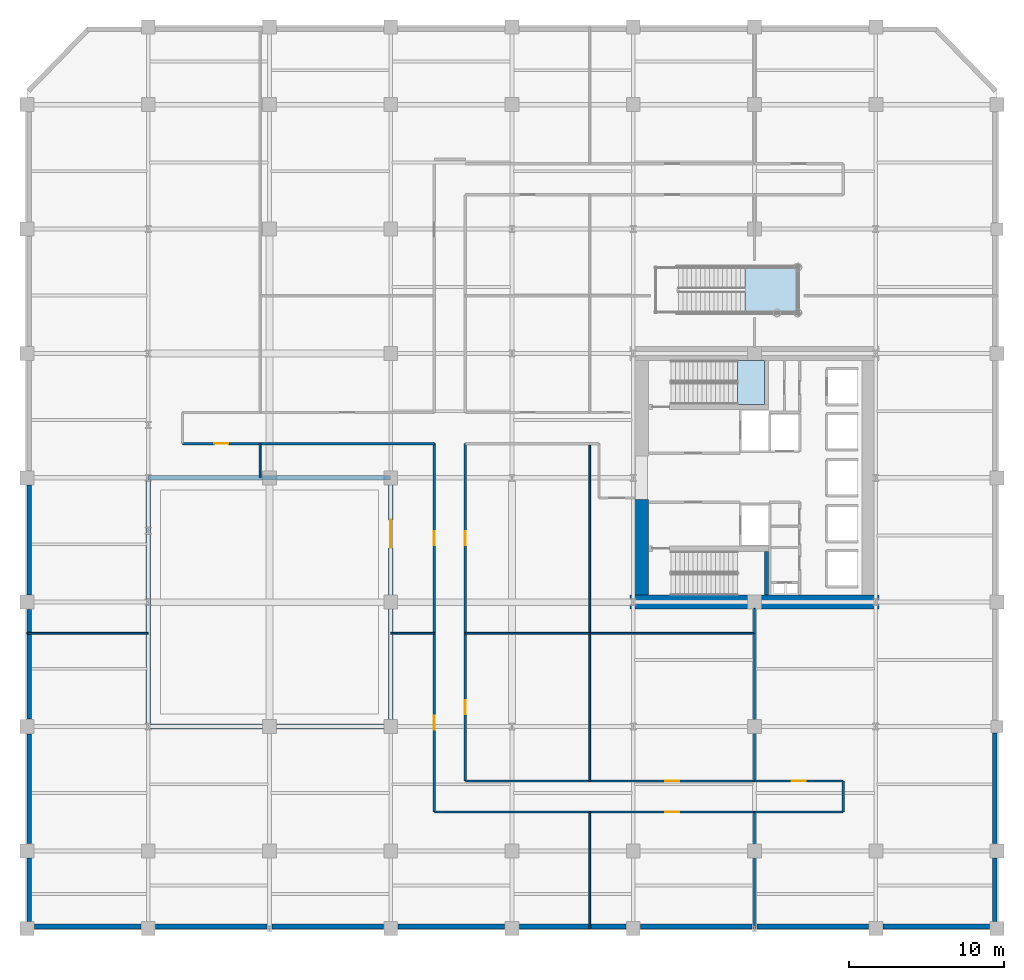
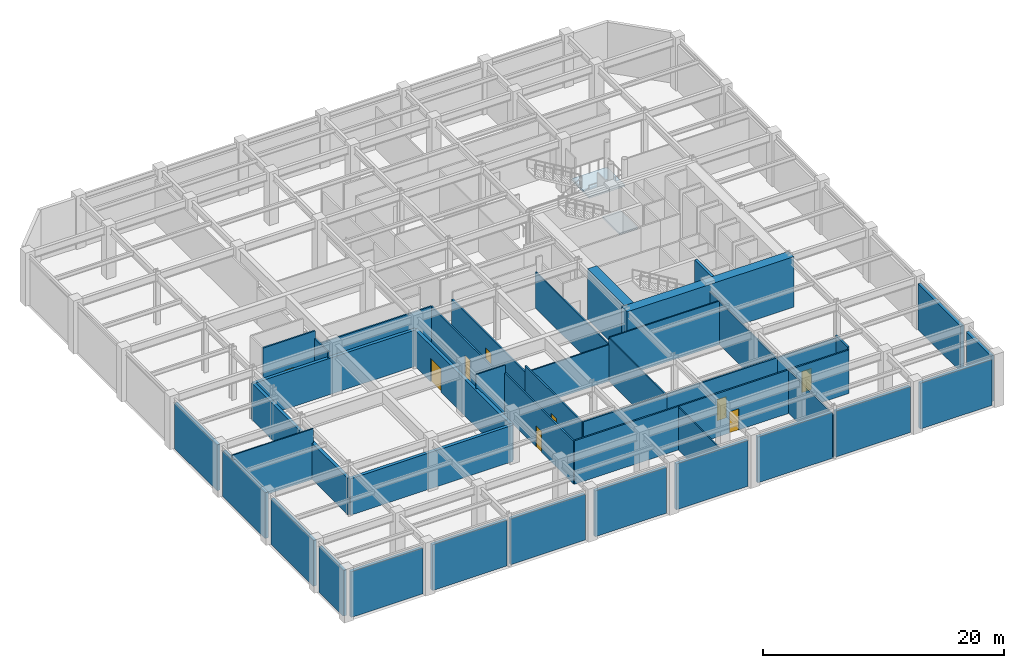
# One storey, part 7 of 11: 45 walls, 9 doors, 2 slabs, 9 openings, 2 elements without a shape of their own.
"""IFC4 building model written with IfcOpenShell, lengths in metres."""

import ifcopenshell
import ifcopenshell.guid

model = None  # the IFC model being written
_history = None  # IfcOwnerHistory: only IFC2X3 demands one
_inside = {}  # id of a spatial element -> (the spatial element, [elements in it])
_under = {}  # id of a project, library or spatial element -> (it, [spatial elements below it])
_declared = {}  # id of a project -> (the project, [libraries it declares])
_typed = {}  # id of a type object -> (the type object, [elements of that type])
_made_of = {}  # id of a material, layer set ... -> (it, [elements and type objects made of it])


def new_model(schema):
    """Start an empty IFC model of exactly this schema.

    Asked for "IFC4X3", IfcOpenShell would pick the latest addendum, in which some entities
    have other attributes; the version numbers below select the first issue.
    IFC2X3 requires an IfcOwnerHistory on every rooted entity: one is made here for all.
    """
    global model, _history
    if schema == "IFC4X3":
        model = ifcopenshell.file(schema_version=(4, 3, 0, 0))
    else:
        model = ifcopenshell.file(schema=schema)
    _inside.clear()
    _under.clear()
    _declared.clear()
    _typed.clear()
    _made_of.clear()
    _history = None
    if model.schema == "IFC2X3":
        org = make("IfcOrganization", Name="unknown")
        user = make(
            "IfcPersonAndOrganization",
            ThePerson=make("IfcPerson", FamilyName="unknown"),
            TheOrganization=org,
        )
        app = make(
            "IfcApplication",
            ApplicationDeveloper=org,
            Version="unknown",
            ApplicationFullName="unknown",
            ApplicationIdentifier="unknown",
        )
        _history = make(
            "IfcOwnerHistory",
            OwningUser=user,
            OwningApplication=app,
            ChangeAction="ADDED",
            CreationDate=0,
        )
    return model


def make(cls, **values):
    """One entity of the class cls with the attributes given. An attribute that is None is left unset."""
    return model.create_entity(
        cls, **{name: value for name, value in values.items() if value is not None}
    )


def rooted(cls, **values):
    """An entity with a GlobalId (a new one), such as an element, a storey or a relation."""
    return make(cls, GlobalId=ifcopenshell.guid.new(), OwnerHistory=_history, **values)


def si_unit(unit_type, name, prefix=None):
    """IfcSIUnit, for example si_unit("LENGTHUNIT", "METRE", prefix="MILLI")."""
    return make("IfcSIUnit", UnitType=unit_type, Prefix=prefix, Name=name)


def assignment(units):
    """IfcUnitAssignment: the units of a project."""
    return None if units is None else make("IfcUnitAssignment", Units=units)


def point(xyz):
    """IfcCartesianPoint."""
    return None if xyz is None else make("IfcCartesianPoint", Coordinates=xyz)


def direction(xyz):
    """IfcDirection."""
    return None if xyz is None else make("IfcDirection", DirectionRatios=xyz)


def frame(location, z_axis=None, x_axis=None):
    """IfcAxis2Placement3D, a coordinate frame: its origin and axes. An axis left out is left unset."""
    return make(
        "IfcAxis2Placement3D",
        Location=point(location),
        Axis=direction(z_axis),
        RefDirection=direction(x_axis),
    )


def frame_2d(location, x_axis=None):
    """IfcAxis2Placement2D, a coordinate frame in the plane: its origin and x axis."""
    return make(
        "IfcAxis2Placement2D", Location=point(location), RefDirection=direction(x_axis)
    )


def origin():
    """The frame at (0, 0, 0) with its axes left unset."""
    return frame((0.0, 0.0, 0.0))


def place(relative_to, where):
    """IfcLocalPlacement: puts the frame where relative to a parent placement (None: the world)."""
    return make(
        "IfcLocalPlacement", PlacementRelTo=relative_to, RelativePlacement=where
    )


def context(
    kind, dimensions, precision=None, world=None, true_north=None, identifier=None
):
    """IfcGeometricRepresentationContext, for example the 3D "Model" context."""
    return make(
        "IfcGeometricRepresentationContext",
        ContextIdentifier=identifier,
        ContextType=kind,
        CoordinateSpaceDimension=dimensions,
        Precision=precision,
        WorldCoordinateSystem=world,
        TrueNorth=true_north,
    )


def subcontext(parent, identifier, kind, view, scale=None):
    """IfcGeometricRepresentationSubContext, for example "Body" below "Model"."""
    return make(
        "IfcGeometricRepresentationSubContext",
        ContextIdentifier=identifier,
        ContextType=kind,
        ParentContext=parent,
        TargetScale=scale,
        TargetView=view,
    )


def project(units=None, contexts=None):
    """IfcProject with its units and contexts."""
    return rooted(
        "IfcProject",
        Name="project",
        RepresentationContexts=contexts,
        UnitsInContext=assignment(units),
    )


def spatial(cls, under=None, at=None, **own):
    """A site, building, storey or space (cls), placed at a placement, below another one or the project."""
    s = rooted(cls, ObjectPlacement=at, **own)
    if under is not None:
        _under.setdefault(under.id(), (under, []))[1].append(s)
    return s


def polyline(points):
    """IfcPolyline through the points."""
    return make("IfcPolyline", Points=[point(p) for p in points])


def profile(cls, at=None, kind="AREA", **sizes):
    """A parametric profile (cls). Its sizes go by their IFC names, for example OverallWidth=200.0."""
    return make(cls, ProfileType=kind, Position=at, **sizes)


def rectangle(**sizes):
    """IfcRectangleProfileDef."""
    return profile("IfcRectangleProfileDef", **sizes)


def outline(outer, holes=None, kind="AREA"):
    """IfcArbitraryClosedProfileDef: a profile drawn as a closed curve; with holes, ...WithVoids."""
    if holes is None:
        return make("IfcArbitraryClosedProfileDef", ProfileType=kind, OuterCurve=outer)
    return make(
        "IfcArbitraryProfileDefWithVoids",
        ProfileType=kind,
        OuterCurve=outer,
        InnerCurves=holes,
    )


def extrude(swept, where, along, depth):
    """IfcExtrudedAreaSolid: the profile swept, set in the frame where, extruded along a direction by depth."""
    return make(
        "IfcExtrudedAreaSolid",
        SweptArea=swept,
        Position=where,
        ExtrudedDirection=direction(along),
        Depth=depth,
    )


def shape(context_of_items, identifier, shape_type, items):
    """IfcShapeRepresentation: the items that make up one representation, for example the "Body"."""
    return make(
        "IfcShapeRepresentation",
        ContextOfItems=context_of_items,
        RepresentationIdentifier=identifier,
        RepresentationType=shape_type,
        Items=items,
    )


def material(Name=None, Category=None):
    """IfcMaterial."""
    return make("IfcMaterial", Name=Name, Category=Category)


def layer(
    of_material, thickness, ventilated=None, Name=None, Category=None, Priority=None
):
    """IfcMaterialLayer: one layer of a wall or slab, of a material (None: an air gap)."""
    return make(
        "IfcMaterialLayer",
        Material=of_material,
        LayerThickness=thickness,
        IsVentilated=ventilated,
        Name=Name,
        Category=Category,
        Priority=Priority,
    )


def layer_set(layers, Name=None):
    """IfcMaterialLayerSet."""
    return make("IfcMaterialLayerSet", MaterialLayers=layers, LayerSetName=Name)


def made_of(thing, what):
    """Note that an element or type object is made of a material, layer set ...; save() writes the relation."""
    if what is not None:
        _made_of.setdefault(what.id(), (what, []))[1].append(thing)
    return thing


def type_object(cls, material=None, **own):
    """A type object (cls), such as IfcWallType, which elements share."""
    return made_of(rooted(cls, **own), material)


def element(
    cls,
    number,
    at=None,
    inside=None,
    cuts=None,
    type_object=None,
    material=None,
    context=None,
    identifier="Body",
    shape_type=None,
    held_by="IfcProductDefinitionShape",
    body=None,
    shapes=None,
    **own,
):
    """One element of the class cls, such as IfcWall. Its Tag is "e" and its number.

    at: its placement. inside: the storey or other place that contains it. cuts: it is an
    opening in that element (IfcRelVoidsElement). A single representation is given by context,
    identifier, shape_type and body (its items); several are given by shapes. held_by: the class
    of the entity that holds the representations. save() writes the other relations.
    """
    e = rooted(cls, Tag="e%d" % number, ObjectPlacement=at, **own)
    if body is not None:
        shapes = [shape(context, identifier, shape_type, body)]
    if shapes is not None:
        e.Representation = make(held_by, Representations=shapes)
    if inside is not None:
        _inside.setdefault(inside.id(), (inside, []))[1].append(e)
    if cuts is not None:
        rooted(
            "IfcRelVoidsElement", RelatingBuildingElement=cuts, RelatedOpeningElement=e
        )
    if type_object is not None:
        _typed.setdefault(type_object.id(), (type_object, []))[1].append(e)
    return made_of(e, material)


def fill(opening, filler):
    """IfcRelFillsElement: the door or window that sits in an opening."""
    return rooted(
        "IfcRelFillsElement",
        RelatingOpeningElement=opening,
        RelatedBuildingElement=filler,
    )


def aggregate(whole, parts):
    """IfcRelAggregates: a whole, such as a stair, and the parts it consists of."""
    return rooted("IfcRelAggregates", RelatingObject=whole, RelatedObjects=parts)


def save(model, path):
    """Write the relations noted so far, then the file.

    IfcRelAggregates (storeys below a building ...), IfcRelContainedInSpatialStructure (elements
    in a storey), IfcRelDefinesByType, IfcRelAssociatesMaterial and IfcRelDeclares: one each for
    every whole, place, type object, material and project.
    """
    for whole, parts in _under.values():
        aggregate(whole, parts)
    for where, things in _inside.values():
        rooted(
            "IfcRelContainedInSpatialStructure",
            RelatedElements=things,
            RelatingStructure=where,
        )
    for kind, things in _typed.values():
        rooted("IfcRelDefinesByType", RelatedObjects=things, RelatingType=kind)
    for what, things in _made_of.values():
        rooted("IfcRelAssociatesMaterial", RelatedObjects=things, RelatingMaterial=what)
    for by, libraries in _declared.values():
        rooted("IfcRelDeclares", RelatingContext=by, RelatedDefinitions=libraries)
    model.write(path)


model = new_model("IFC4")

# Units and contexts
model_context = context("Model", 3, precision=1e-05, world=origin(), true_north=direction((0.0, 1.0)))
body_context = subcontext(model_context, "Body", "Model", "MODEL_VIEW")
ifc_project = project(units=[si_unit("LENGTHUNIT", "METRE"), si_unit("AREAUNIT", "SQUARE_METRE"), si_unit("VOLUMEUNIT", "CUBIC_METRE"), si_unit("PLANEANGLEUNIT", "RADIAN"), si_unit("MASSUNIT", "GRAM", prefix="KILO")], contexts=[model_context])

# Site, building, storey
site_placement = place(None, origin())
site = spatial("IfcSite", under=ifc_project, at=site_placement, CompositionType="ELEMENT")
building_placement = place(site_placement, origin())
building = spatial("IfcBuilding", under=site, at=building_placement, Name="Veymaron Broadcast Tower", CompositionType="ELEMENT")
storey_placement = place(building_placement, frame((0.0, 0.0, 16.199951171875)))
storey = spatial("IfcBuildingStorey", under=building, at=storey_placement, Name="L03", CompositionType="ELEMENT", Elevation=16.199951171875)

# Stair, slab
ifc_material_1 = material(Name="Concrete C50/60", Category="concrete")
stair_type_1 = type_object("IfcStairType", Name="STAIR-CORE-1", PredefinedType="HALF_TURN_STAIR", material=ifc_material_1)
stair_1_placement = place(storey_placement, origin())
stair_1 = element("IfcStair", 1, at=stair_1_placement, inside=storey, type_object=stair_type_1, Name="L03 North protected dog-leg exit stair ST1", PredefinedType="HALF_TURN_STAIR")
ifc_layer_1 = layer(ifc_material_1, 0.199951171875)
ifc_layer_set_1 = layer_set([ifc_layer_1], Name="Concrete C50/60")
slab_type = type_object("IfcSlabType", Name="SLAB-STAIR-LDG", PredefinedType="LANDING", material=ifc_layer_set_1)
slab_1_placement = place(storey_placement, frame((0.0, 0.0, 2.5)))
slab_1 = element("IfcSlab", 2, at=slab_1_placement, type_object=slab_type, Name="ST1 landing 1", PredefinedType="LANDING", context=body_context, shape_type="SweptSolid", body=[
    extrude(outline(polyline([(45.705078125, 28.72998046875), (47.43994140625, 28.72998046875), (47.43994140625, 31.550048828125), (45.705078125, 31.550048828125), (45.705078125, 28.72998046875)])), origin(), (0.0, 0.0, 1.0), 0.199951171875),
])
aggregate(stair_1, [slab_1])

ifc_material_2 = material(Name="Structural steel ASTM A992 Gr 50", Category="steel")
stair_type_2 = type_object("IfcStairType", Name="STAIR-FEAT-01", PredefinedType="HALF_TURN_STAIR", material=ifc_material_2)
stair_2_placement = place(storey_placement, origin())
stair_2 = element("IfcStair", 3, at=stair_2_placement, inside=storey, type_object=stair_type_2, Name="L03 Waterfront concourse monumental feature stair STF1", PredefinedType="HALF_TURN_STAIR")
slab_2_placement = place(storey_placement, frame((0.0, 0.0, 2.5)))
slab_2 = element("IfcSlab", 4, at=slab_2_placement, type_object=slab_type, Name="STF1 landing 1", PredefinedType="LANDING", context=body_context, shape_type="SweptSolid", body=[
    extrude(outline(polyline([(46.175048828125, 34.60009765625), (49.60009765625, 34.60009765625), (49.60009765625, 37.56005859375), (46.175048828125, 37.56005859375), (46.175048828125, 34.60009765625)])), origin(), (0.0, 0.0, 1.0), 0.199951171875),
])
aggregate(stair_2, [slab_2])

# Wall, opening, door
ifc_material_3 = material(Name="Double-stud acoustic gypsum and mineral wool", Category="gypsum")
ifc_layer_2 = layer(ifc_material_3, 0.300048828125)
ifc_layer_set_2 = layer_set([ifc_layer_2], Name="Double-stud acoustic gypsum and mineral wool")
wall_type_1 = type_object("IfcWallType", Name="WALL-ACOUSTIC-300", PredefinedType="PARTITIONING", material=ifc_layer_set_2)
wall_1_placement = place(storey_placement, frame((23.39990234375, 8.0, 0.0), z_axis=(0.0, 0.0, 1.0), x_axis=(0.0, 1.0, 0.0)))
wall_1 = element("IfcWall", 5, at=wall_1_placement, inside=storey, type_object=wall_type_1, Name="L03 partition IW-L03-STU3-E", PredefinedType="PARTITIONING", context=body_context, shape_type="SweptSolid", body=[
    extrude(rectangle(XDim=16.0, YDim=0.300048828125, at=frame_2d((8.0, 0.0))), origin(), (0.0, 0.0, 1.0), 3.68798828125),
])
opening_1_placement = place(wall_1_placement, frame((11.5, 0.0, 0.0)))
opening_1 = element("IfcOpeningElement", 6, at=opening_1_placement, cuts=wall_1, Name="Opening ID-AC1", PredefinedType="OPENING", context=body_context, shape_type="SweptSolid", body=[
    extrude(rectangle(XDim=1.800048828125, YDim=2.39990234375, at=frame_2d((0.89990234375, 1.199951171875))), frame((0.0, 0.16015625, 0.0), z_axis=(0.0, -1.0, 0.0), x_axis=(1.0, 0.0, 0.0)), (0.0, 0.0, 1.0), 0.320068359375),
])
ifc_material_4 = material(Name="STC-55 acoustic steel double leaf with magnetic seals", Category="steel")
door_type_1 = type_object("IfcDoorType", Name="DOOR-ACOUSTIC-1800", OperationType="DOUBLE_DOOR_SINGLE_SWING", PredefinedType="DOOR", material=ifc_material_4)
door_1_placement = place(opening_1_placement, origin())
door_1 = element("IfcDoor", 7, at=door_1_placement, inside=storey, type_object=door_type_1, Name="L03 door DR-L03-STU3", OperationType="SINGLE_SWING_LEFT", OverallHeight=2.39990234375, OverallWidth=1.800048828125, PredefinedType="DOOR", context=body_context, shape_type="SweptSolid", body=[
    extrude(rectangle(XDim=1.800048828125, YDim=2.39990234375, at=frame_2d((0.89990234375, 1.199951171875))), frame((0.0, 0.02490234375, 0.0), z_axis=(0.0, -1.0, 0.0), x_axis=(1.0, 0.0, 0.0)), (0.0, 0.0, 1.0), 0.050048828125),
])
fill(opening_1, door_1)

# Walls
for number, where, z_axis, x_axis, name in (
    (8, (7.800048828125, 24.0, 0.0), (0.0, 0.0, 1.0), (1.0, 0.0, 0.0), "L03 partition IW-L03-STU3-N"),
    (9, (7.800048828125, 8.0, 0.0), (0.0, 0.0, 1.0), (1.0, 0.0, 0.0), "L03 partition IW-L03-STU3-S"),
):
    element("IfcWall", number, at=place(storey_placement, frame(where, z_axis=z_axis, x_axis=x_axis)), inside=storey, type_object=wall_type_1, Name=name, PredefinedType="PARTITIONING", context=body_context, shape_type="SweptSolid", body=[
        extrude(rectangle(XDim=15.599853515625, YDim=0.300048828125, at=frame_2d((7.7998046875, 0.0))), origin(), (0.0, 0.0, 1.0), 3.68798828125),
    ])
wall_2_placement = place(storey_placement, frame((7.800048828125, 8.0, 0.0), z_axis=(0.0, 0.0, 1.0), x_axis=(0.0, 1.0, 0.0)))
element("IfcWall", 10, at=wall_2_placement, inside=storey, type_object=wall_type_1, Name="L03 partition IW-L03-STU3-W", PredefinedType="PARTITIONING", context=body_context, shape_type="SweptSolid", body=[
    extrude(rectangle(XDim=16.0, YDim=0.300048828125, at=frame_2d((8.0, 0.0))), origin(), (0.0, 0.0, 1.0), 3.68798828125),
])
ifc_material_5 = material(Name="Precast concrete C40/50 with mineral-wool insulation", Category="concrete")
ifc_layer_3 = layer(ifc_material_5, 0.300048828125)
ifc_layer_set_3 = layer_set([ifc_layer_3], Name="Precast concrete C40/50 with mineral-wool insulation")
wall_type_2 = type_object("IfcWallType", Name="WALL-EXT-300", PredefinedType="STANDARD", material=ifc_layer_set_3)
wall_3_placement = place(storey_placement, frame((0.468017578125, -4.860107421875, 0.0), z_axis=(0.0, 0.0, 1.0), x_axis=(1.0, 0.0, 0.0)))
element("IfcWall", 11, at=wall_3_placement, inside=storey, type_object=wall_type_2, Name="L03 notched corner facade pier 1-1", PredefinedType="STANDARD", context=body_context, shape_type="SweptSolid", body=[
    extrude(rectangle(XDim=6.864013671875, YDim=0.300048828125, at=frame_2d((3.43212890625, 0.0))), origin(), (0.0, 0.0, 1.0), 4.64794921875),
])
for number, where, z_axis, x_axis, name in (
    (12, (8.26806640625, -4.860107421875, 0.0), (0.0, 0.0, 1.0), (1.0, 0.0, 0.0), "L03 notched corner facade pier 1-2"),
    (13, (15.7724609375, -4.860107421875, 0.0), (0.0, 0.0, 1.0), (1.0, 0.0, 0.0), "L03 notched corner facade pier 1-3"),
):
    element("IfcWall", number, at=place(storey_placement, frame(where, z_axis=z_axis, x_axis=x_axis)), inside=storey, type_object=wall_type_2, Name=name, PredefinedType="STANDARD", context=body_context, shape_type="SweptSolid", body=[
        extrude(rectangle(XDim=7.159423828125, YDim=0.300048828125, at=frame_2d((3.57958984375, 0.0))), origin(), (0.0, 0.0, 1.0), 4.64794921875),
    ])
for number, where, z_axis, x_axis, name in (
    (14, (23.867919921875, -4.860107421875, 0.0), (0.0, 0.0, 1.0), (1.0, 0.0, 0.0), "L03 notched corner facade pier 1-4"),
    (15, (31.66796875, -4.860107421875, 0.0), (0.0, 0.0, 1.0), (1.0, 0.0, 0.0), "L03 notched corner facade pier 1-5"),
):
    element("IfcWall", number, at=place(storey_placement, frame(where, z_axis=z_axis, x_axis=x_axis)), inside=storey, type_object=wall_type_2, Name=name, PredefinedType="STANDARD", context=body_context, shape_type="SweptSolid", body=[
        extrude(rectangle(XDim=6.864013671875, YDim=0.300048828125, at=frame_2d((3.43212890625, 0.0))), origin(), (0.0, 0.0, 1.0), 4.64794921875),
    ])
wall_4_placement = place(storey_placement, frame((39.468017578125, -4.860107421875, 0.0), z_axis=(0.0, 0.0, 1.0), x_axis=(1.0, 0.0, 0.0)))
element("IfcWall", 16, at=wall_4_placement, inside=storey, type_object=wall_type_2, Name="L03 notched corner facade pier 1-6", PredefinedType="STANDARD", context=body_context, shape_type="SweptSolid", body=[
    extrude(rectangle(XDim=7.159423828125, YDim=0.300048828125, at=frame_2d((3.57958984375, 0.0))), origin(), (0.0, 0.0, 1.0), 4.64794921875),
])
wall_5_placement = place(storey_placement, frame((46.972412109375, -4.860107421875, 0.0), z_axis=(0.0, 0.0, 1.0), x_axis=(1.0, 0.0, 0.0)))
element("IfcWall", 17, at=wall_5_placement, inside=storey, type_object=wall_type_2, Name="L03 notched corner facade pier 1-7", PredefinedType="STANDARD", context=body_context, shape_type="SweptSolid", body=[
    extrude(rectangle(XDim=7.15966796875, YDim=0.300048828125, at=frame_2d((3.579833984375, 0.0))), origin(), (0.0, 0.0, 1.0), 4.64794921875),
])
wall_6_placement = place(storey_placement, frame((55.068115234375, -4.860107421875, 0.0), z_axis=(0.0, 0.0, 1.0), x_axis=(1.0, 0.0, 0.0)))
element("IfcWall", 18, at=wall_6_placement, inside=storey, type_object=wall_type_2, Name="L03 notched corner facade pier 1-8", PredefinedType="STANDARD", context=body_context, shape_type="SweptSolid", body=[
    extrude(rectangle(XDim=6.86376953125, YDim=0.300048828125, at=frame_2d((3.431884765625, 0.0))), origin(), (0.0, 0.0, 1.0), 4.64794921875),
])
wall_7_placement = place(storey_placement, frame((62.260009765625, -4.531982421875, 0.0), z_axis=(0.0, 0.0, 1.0), x_axis=(0.0, 1.0, 0.0)))
element("IfcWall", 19, at=wall_7_placement, inside=storey, type_object=wall_type_2, Name="L03 notched corner facade pier 2-1", PredefinedType="STANDARD", context=body_context, shape_type="SweptSolid", body=[
    extrude(rectangle(XDim=4.06396484375, YDim=0.300048828125, at=frame_2d((2.031982421875, 0.0))), origin(), (0.0, 0.0, 1.0), 4.64794921875),
])
wall_8_placement = place(storey_placement, frame((62.260009765625, 0.468017578125, 0.0), z_axis=(0.0, 0.0, 1.0), x_axis=(0.0, 1.0, 0.0)))
element("IfcWall", 20, at=wall_8_placement, inside=storey, type_object=wall_type_2, Name="L03 notched corner facade pier 2-2", PredefinedType="STANDARD", context=body_context, shape_type="SweptSolid", body=[
    extrude(rectangle(XDim=7.114013671875, YDim=0.300048828125, at=frame_2d((3.55712890625, 0.0))), origin(), (0.0, 0.0, 1.0), 4.64794921875),
])
for number, where, z_axis, x_axis, name in (
    (21, (0.139892578125, 23.531982421875, 0.0), (0.0, 0.0, 1.0), (0.0, -1.0, 0.0), "L03 notched corner facade pier 6-4"),
    (22, (0.139892578125, 15.531982421875, 0.0), (0.0, 0.0, 1.0), (0.0, -1.0, 0.0), "L03 notched corner facade pier 6-5"),
    (23, (0.139892578125, 7.531982421875, 0.0), (0.0, 0.0, 1.0), (0.0, -1.0, 0.0), "L03 notched corner facade pier 6-6"),
):
    element("IfcWall", number, at=place(storey_placement, frame(where, z_axis=z_axis, x_axis=x_axis)), inside=storey, type_object=wall_type_2, Name=name, PredefinedType="STANDARD", context=body_context, shape_type="SweptSolid", body=[
        extrude(rectangle(XDim=7.06396484375, YDim=0.300048828125, at=frame_2d((3.531982421875, 0.0))), origin(), (0.0, 0.0, 1.0), 4.64794921875),
    ])
wall_9_placement = place(storey_placement, frame((0.139892578125, -0.468017578125, 0.0), z_axis=(0.0, 0.0, 1.0), x_axis=(0.0, -1.0, 0.0)))
element("IfcWall", 24, at=wall_9_placement, inside=storey, type_object=wall_type_2, Name="L03 notched corner facade pier 6-7", PredefinedType="STANDARD", context=body_context, shape_type="SweptSolid", body=[
    extrude(rectangle(XDim=4.06396484375, YDim=0.300048828125, at=frame_2d((2.031982421875, 0.0))), origin(), (0.0, 0.0, 1.0), 4.64794921875),
])

# Wall, opening, door
ifc_material_6 = material(Name="Gypsum fireboard and steel stud framing", Category="steel")
ifc_layer_4 = layer(ifc_material_6, 0.14990234375)
ifc_layer_set_4 = layer_set([ifc_layer_4], Name="Gypsum fireboard and steel stud framing")
wall_type_3 = type_object("IfcWallType", Name="WALL-FIRE-150", PredefinedType="PARTITIONING", material=ifc_layer_set_4)
wall_10_placement = place(storey_placement, frame((36.199951171875, 2.5, 0.0), z_axis=(0.0, 0.0, 1.0), x_axis=(1.0, 0.0, 0.0)))
wall_10 = element("IfcWall", 25, at=wall_10_placement, inside=storey, type_object=wall_type_3, Name="L03 partition IW-L03-P01", PredefinedType="PARTITIONING", context=body_context, shape_type="SweptSolid", body=[
    extrude(rectangle(XDim=10.60009765625, YDim=0.14990234375, at=frame_2d((5.300048828125, 0.0))), origin(), (0.0, 0.0, 1.0), 4.4150390625),
])
opening_2_placement = place(wall_10_placement, frame((4.85009765625, 0.0, 0.0)))
opening_2 = element("IfcOpeningElement", 26, at=opening_2_placement, cuts=wall_10, Name="Opening ID-RM2", PredefinedType="OPENING", context=body_context, shape_type="SweptSolid", body=[
    extrude(rectangle(XDim=0.89990234375, YDim=2.14990234375, at=frame_2d((0.449951171875, 1.074951171875))), frame((0.0, 0.0849609375, 0.0), z_axis=(0.0, -1.0, 0.0), x_axis=(1.0, 0.0, 0.0)), (0.0, 0.0, 1.0), 0.169921875),
])
ifc_material_7 = material(Name="Acoustic solid-core European oak veneer timber", Category="wood")
door_type_2 = type_object("IfcDoorType", Name="DOOR-INT-900", OperationType="NOTDEFINED", PredefinedType="DOOR", material=ifc_material_7)
door_2_placement = place(opening_2_placement, frame((0.89990234375, 0.0, 0.0), z_axis=(0.0, 0.0, 1.0), x_axis=(-1.0, 0.0, 0.0)))
door_2 = element("IfcDoor", 27, at=door_2_placement, inside=storey, type_object=door_type_2, Name="L03 door DR-L03-P01", OperationType="SINGLE_SWING_RIGHT", OverallHeight=2.14990234375, OverallWidth=0.89990234375, PredefinedType="DOOR", context=body_context, shape_type="SweptSolid", body=[
    extrude(rectangle(XDim=0.89990234375, YDim=2.14990234375, at=frame_2d((0.449951171875, 1.074951171875))), frame((0.0, 0.02490234375, 0.0), z_axis=(0.0, -1.0, 0.0), x_axis=(1.0, 0.0, 0.0)), (0.0, 0.0, 1.0), 0.050048828125),
])
fill(opening_2, door_2)

wall_11_placement = place(storey_placement, frame((26.199951171875, 2.5, 0.0), z_axis=(0.0, 0.0, 1.0), x_axis=(0.0, 1.0, 0.0)))
wall_11 = element("IfcWall", 28, at=wall_11_placement, inside=storey, type_object=wall_type_3, Name="L03 partition IW-L03-P02", PredefinedType="PARTITIONING", context=body_context, shape_type="SweptSolid", body=[
    extrude(rectangle(XDim=11.5, YDim=0.14990234375, at=frame_2d((5.75, 0.0))), origin(), (0.0, 0.0, 1.0), 4.338134765625),
])
opening_3_placement = place(wall_11_placement, frame((5.300048828125, 0.0, 0.0)))
opening_3 = element("IfcOpeningElement", 29, at=opening_3_placement, cuts=wall_11, Name="Opening ID-RM2", PredefinedType="OPENING", context=body_context, shape_type="SweptSolid", body=[
    extrude(rectangle(XDim=0.89990234375, YDim=2.14990234375, at=frame_2d((0.449951171875, 1.074951171875))), frame((0.0, 0.0849609375, 0.0), z_axis=(0.0, -1.0, 0.0), x_axis=(1.0, 0.0, 0.0)), (0.0, 0.0, 1.0), 0.169921875),
])
door_3_placement = place(opening_3_placement, origin())
door_3 = element("IfcDoor", 30, at=door_3_placement, inside=storey, type_object=door_type_2, Name="L03 door DR-L03-P02", OperationType="SINGLE_SWING_LEFT", OverallHeight=2.14990234375, OverallWidth=0.89990234375, PredefinedType="DOOR", context=body_context, shape_type="SweptSolid", body=[
    extrude(rectangle(XDim=0.89990234375, YDim=2.14990234375, at=frame_2d((0.449951171875, 1.074951171875))), frame((0.0, 0.02490234375, 0.0), z_axis=(0.0, -1.0, 0.0), x_axis=(1.0, 0.0, 0.0)), (0.0, 0.0, 1.0), 0.050048828125),
])
fill(opening_3, door_3)

wall_12_placement = place(storey_placement, frame((28.199951171875, 4.5, 0.0), z_axis=(0.0, 0.0, 1.0), x_axis=(0.0, 1.0, 0.0)))
wall_12 = element("IfcWall", 31, at=wall_12_placement, inside=storey, type_object=wall_type_3, Name="L03 partition IW-L03-P04", PredefinedType="PARTITIONING", context=body_context, shape_type="SweptSolid", body=[
    extrude(rectangle(XDim=9.5, YDim=0.14990234375, at=frame_2d((4.75, 0.0))), origin(), (0.0, 0.0, 1.0), 4.338134765625),
])
opening_4_placement = place(wall_12_placement, frame((4.300048828125, 0.0, 0.0)))
opening_4 = element("IfcOpeningElement", 32, at=opening_4_placement, cuts=wall_12, Name="Opening ID-RM2", PredefinedType="OPENING", context=body_context, shape_type="SweptSolid", body=[
    extrude(rectangle(XDim=0.89990234375, YDim=2.14990234375, at=frame_2d((0.449951171875, 1.074951171875))), frame((0.0, 0.0849609375, 0.0), z_axis=(0.0, -1.0, 0.0), x_axis=(1.0, 0.0, 0.0)), (0.0, 0.0, 1.0), 0.169921875),
])
door_4_placement = place(opening_4_placement, frame((0.89990234375, 0.0, 0.0), z_axis=(0.0, 0.0, 1.0), x_axis=(-1.0, 0.0, 0.0)))
door_4 = element("IfcDoor", 33, at=door_4_placement, inside=storey, type_object=door_type_2, Name="L03 door DR-L03-P04", OperationType="SINGLE_SWING_LEFT", OverallHeight=2.14990234375, OverallWidth=0.89990234375, PredefinedType="DOOR", context=body_context, shape_type="SweptSolid", body=[
    extrude(rectangle(XDim=0.89990234375, YDim=2.14990234375, at=frame_2d((0.449951171875, 1.074951171875))), frame((0.0, 0.02490234375, 0.0), z_axis=(0.0, -1.0, 0.0), x_axis=(1.0, 0.0, 0.0)), (0.0, 0.0, 1.0), 0.050048828125),
])
fill(opening_4, door_4)

wall_13_placement = place(storey_placement, frame((36.199951171875, 4.5, 0.0), z_axis=(0.0, 0.0, 1.0), x_axis=(1.0, 0.0, 0.0)))
wall_13 = element("IfcWall", 34, at=wall_13_placement, inside=storey, type_object=wall_type_3, Name="L03 partition IW-L03-P06", PredefinedType="PARTITIONING", context=body_context, shape_type="SweptSolid", body=[
    extrude(rectangle(XDim=10.60009765625, YDim=0.14990234375, at=frame_2d((5.300048828125, 0.0))), origin(), (0.0, 0.0, 1.0), 4.4150390625),
])
opening_5_placement = place(wall_13_placement, frame((4.85009765625, 0.0, 0.0)))
opening_5 = element("IfcOpeningElement", 35, at=opening_5_placement, cuts=wall_13, Name="Opening ID-RM2", PredefinedType="OPENING", context=body_context, shape_type="SweptSolid", body=[
    extrude(rectangle(XDim=0.89990234375, YDim=2.14990234375, at=frame_2d((0.449951171875, 1.074951171875))), frame((0.0, 0.0849609375, 0.0), z_axis=(0.0, -1.0, 0.0), x_axis=(1.0, 0.0, 0.0)), (0.0, 0.0, 1.0), 0.169921875),
])
door_5_placement = place(opening_5_placement, origin())
door_5 = element("IfcDoor", 36, at=door_5_placement, inside=storey, type_object=door_type_2, Name="L03 door DR-L03-P06", OperationType="SINGLE_SWING_LEFT", OverallHeight=2.14990234375, OverallWidth=0.89990234375, PredefinedType="DOOR", context=body_context, shape_type="SweptSolid", body=[
    extrude(rectangle(XDim=0.89990234375, YDim=2.14990234375, at=frame_2d((0.449951171875, 1.074951171875))), frame((0.0, 0.02490234375, 0.0), z_axis=(0.0, -1.0, 0.0), x_axis=(1.0, 0.0, 0.0)), (0.0, 0.0, 1.0), 0.050048828125),
])
fill(opening_5, door_5)

wall_14_placement = place(storey_placement, frame((46.800048828125, 4.5, 0.0), z_axis=(0.0, 0.0, 1.0), x_axis=(1.0, 0.0, 0.0)))
wall_14 = element("IfcWall", 37, at=wall_14_placement, inside=storey, type_object=wall_type_3, Name="L03 partition IW-L03-P07", PredefinedType="PARTITIONING", context=body_context, shape_type="SweptSolid", body=[
    extrude(rectangle(XDim=5.699951171875, YDim=0.14990234375, at=frame_2d((2.85009765625, 0.0))), origin(), (0.0, 0.0, 1.0), 4.4150390625),
])
opening_6_placement = place(wall_14_placement, frame((2.39990234375, 0.0, 0.0)))
opening_6 = element("IfcOpeningElement", 38, at=opening_6_placement, cuts=wall_14, Name="Opening ID-RM2", PredefinedType="OPENING", context=body_context, shape_type="SweptSolid", body=[
    extrude(rectangle(XDim=0.89990234375, YDim=2.14990234375, at=frame_2d((0.449951171875, 1.074951171875))), frame((0.0, 0.0849609375, 0.0), z_axis=(0.0, -1.0, 0.0), x_axis=(1.0, 0.0, 0.0)), (0.0, 0.0, 1.0), 0.169921875),
])
door_6_placement = place(opening_6_placement, origin())
door_6 = element("IfcDoor", 39, at=door_6_placement, inside=storey, type_object=door_type_2, Name="L03 door DR-L03-P07", OperationType="SINGLE_SWING_RIGHT", OverallHeight=2.14990234375, OverallWidth=0.89990234375, PredefinedType="DOOR", context=body_context, shape_type="SweptSolid", body=[
    extrude(rectangle(XDim=0.89990234375, YDim=2.14990234375, at=frame_2d((0.449951171875, 1.074951171875))), frame((0.0, 0.02490234375, 0.0), z_axis=(0.0, -1.0, 0.0), x_axis=(1.0, 0.0, 0.0)), (0.0, 0.0, 1.0), 0.050048828125),
])
fill(opening_6, door_6)

wall_15_placement = place(storey_placement, frame((28.199951171875, 14.0, 0.0), z_axis=(0.0, 0.0, 1.0), x_axis=(0.0, 1.0, 0.0)))
wall_15 = element("IfcWall", 40, at=wall_15_placement, inside=storey, type_object=wall_type_3, Name="L03 partition IW-L03-P13", PredefinedType="PARTITIONING", context=body_context, shape_type="SweptSolid", body=[
    extrude(rectangle(XDim=12.199951171875, YDim=0.14990234375, at=frame_2d((6.10009765625, 0.0))), origin(), (0.0, 0.0, 1.0), 3.68798828125),
])
opening_7_placement = place(wall_15_placement, frame((5.64990234375, 0.0, 0.0)))
opening_7 = element("IfcOpeningElement", 41, at=opening_7_placement, cuts=wall_15, Name="Opening ID-RM2", PredefinedType="OPENING", context=body_context, shape_type="SweptSolid", body=[
    extrude(rectangle(XDim=0.89990234375, YDim=2.14990234375, at=frame_2d((0.449951171875, 1.074951171875))), frame((0.0, 0.0849609375, 0.0), z_axis=(0.0, -1.0, 0.0), x_axis=(1.0, 0.0, 0.0)), (0.0, 0.0, 1.0), 0.169921875),
])
door_7_placement = place(opening_7_placement, frame((0.89990234375, 0.0, 0.0), z_axis=(0.0, 0.0, 1.0), x_axis=(-1.0, 0.0, 0.0)))
door_7 = element("IfcDoor", 42, at=door_7_placement, inside=storey, type_object=door_type_2, Name="L03 door DR-L03-P13", OperationType="SINGLE_SWING_RIGHT", OverallHeight=2.14990234375, OverallWidth=0.89990234375, PredefinedType="DOOR", context=body_context, shape_type="SweptSolid", body=[
    extrude(rectangle(XDim=0.89990234375, YDim=2.14990234375, at=frame_2d((0.449951171875, 1.074951171875))), frame((0.0, 0.02490234375, 0.0), z_axis=(0.0, -1.0, 0.0), x_axis=(1.0, 0.0, 0.0)), (0.0, 0.0, 1.0), 0.050048828125),
])
fill(opening_7, door_7)

wall_16_placement = place(storey_placement, frame((26.199951171875, 14.0, 0.0), z_axis=(0.0, 0.0, 1.0), x_axis=(0.0, 1.0, 0.0)))
wall_16 = element("IfcWall", 43, at=wall_16_placement, inside=storey, type_object=wall_type_3, Name="L03 partition IW-L03-P15", PredefinedType="PARTITIONING", context=body_context, shape_type="SweptSolid", body=[
    extrude(rectangle(XDim=12.199951171875, YDim=0.14990234375, at=frame_2d((6.10009765625, 0.0))), origin(), (0.0, 0.0, 1.0), 3.68798828125),
])
opening_8_placement = place(wall_16_placement, frame((5.64990234375, 0.0, 0.0)))
opening_8 = element("IfcOpeningElement", 44, at=opening_8_placement, cuts=wall_16, Name="Opening ID-RM2", PredefinedType="OPENING", context=body_context, shape_type="SweptSolid", body=[
    extrude(rectangle(XDim=0.89990234375, YDim=2.14990234375, at=frame_2d((0.449951171875, 1.074951171875))), frame((0.0, 0.0849609375, 0.0), z_axis=(0.0, -1.0, 0.0), x_axis=(1.0, 0.0, 0.0)), (0.0, 0.0, 1.0), 0.169921875),
])
door_8_placement = place(opening_8_placement, origin())
door_8 = element("IfcDoor", 45, at=door_8_placement, inside=storey, type_object=door_type_2, Name="L03 door DR-L03-P15", OperationType="SINGLE_SWING_RIGHT", OverallHeight=2.14990234375, OverallWidth=0.89990234375, PredefinedType="DOOR", context=body_context, shape_type="SweptSolid", body=[
    extrude(rectangle(XDim=0.89990234375, YDim=2.14990234375, at=frame_2d((0.449951171875, 1.074951171875))), frame((0.0, 0.02490234375, 0.0), z_axis=(0.0, -1.0, 0.0), x_axis=(1.0, 0.0, 0.0)), (0.0, 0.0, 1.0), 0.050048828125),
])
fill(opening_8, door_8)

wall_17_placement = place(storey_placement, frame((10.0, 26.199951171875, 0.0), z_axis=(0.0, 0.0, 1.0), x_axis=(1.0, 0.0, 0.0)))
wall_17 = element("IfcWall", 46, at=wall_17_placement, inside=storey, type_object=wall_type_3, Name="L03 partition IW-L03-P22", PredefinedType="PARTITIONING", context=body_context, shape_type="SweptSolid", body=[
    extrude(rectangle(XDim=5.0, YDim=0.14990234375, at=frame_2d((2.5, 0.0))), origin(), (0.0, 0.0, 1.0), 5.1201171875),
])
opening_9_placement = place(wall_17_placement, frame((2.050048828125, 0.0, 0.0)))
opening_9 = element("IfcOpeningElement", 47, at=opening_9_placement, cuts=wall_17, Name="Opening ID-RM2", PredefinedType="OPENING", context=body_context, shape_type="SweptSolid", body=[
    extrude(rectangle(XDim=0.89990234375, YDim=2.14990234375, at=frame_2d((0.449951171875, 1.074951171875))), frame((0.0, 0.0849609375, 0.0), z_axis=(0.0, -1.0, 0.0), x_axis=(1.0, 0.0, 0.0)), (0.0, 0.0, 1.0), 0.169921875),
])
door_9_placement = place(opening_9_placement, frame((0.89990234375, 0.0, 0.0), z_axis=(0.0, 0.0, 1.0), x_axis=(-1.0, 0.0, 0.0)))
door_9 = element("IfcDoor", 48, at=door_9_placement, inside=storey, type_object=door_type_2, Name="L03 door DR-L03-P22", OperationType="SINGLE_SWING_LEFT", OverallHeight=2.14990234375, OverallWidth=0.89990234375, PredefinedType="DOOR", context=body_context, shape_type="SweptSolid", body=[
    extrude(rectangle(XDim=0.89990234375, YDim=2.14990234375, at=frame_2d((0.449951171875, 1.074951171875))), frame((0.0, 0.02490234375, 0.0), z_axis=(0.0, -1.0, 0.0), x_axis=(1.0, 0.0, 0.0)), (0.0, 0.0, 1.0), 0.050048828125),
])
fill(opening_9, door_9)

# Walls
wall_18_placement = place(storey_placement, frame((26.199951171875, 2.5, 0.0), z_axis=(0.0, 0.0, 1.0), x_axis=(1.0, 0.0, 0.0)))
element("IfcWall", 49, at=wall_18_placement, inside=storey, type_object=wall_type_3, Name="L03 partition IW-L03-P03", PredefinedType="PARTITIONING", context=body_context, shape_type="SweptSolid", body=[
    extrude(rectangle(XDim=10.0, YDim=0.14990234375, at=frame_2d((5.0, 0.0))), origin(), (0.0, 0.0, 1.0), 4.4150390625),
])
wall_19_placement = place(storey_placement, frame((28.199951171875, 4.5, 0.0), z_axis=(0.0, 0.0, 1.0), x_axis=(1.0, 0.0, 0.0)))
element("IfcWall", 50, at=wall_19_placement, inside=storey, type_object=wall_type_3, Name="L03 partition IW-L03-P05", PredefinedType="PARTITIONING", context=body_context, shape_type="SweptSolid", body=[
    extrude(rectangle(XDim=8.0, YDim=0.14990234375, at=frame_2d((4.0, 0.0))), origin(), (0.0, 0.0, 1.0), 4.4150390625),
])
wall_20_placement = place(storey_placement, frame((46.800048828125, 2.5, 0.0), z_axis=(0.0, 0.0, 1.0), x_axis=(1.0, 0.0, 0.0)))
element("IfcWall", 51, at=wall_20_placement, inside=storey, type_object=wall_type_3, Name="L03 partition IW-L03-P08", PredefinedType="PARTITIONING", context=body_context, shape_type="SweptSolid", body=[
    extrude(rectangle(XDim=5.699951171875, YDim=0.14990234375, at=frame_2d((2.85009765625, 0.0))), origin(), (0.0, 0.0, 1.0), 4.4150390625),
])
wall_21_placement = place(storey_placement, frame((52.5, 2.5, 0.0), z_axis=(0.0, 0.0, 1.0), x_axis=(0.0, 1.0, 0.0)))
element("IfcWall", 52, at=wall_21_placement, inside=storey, type_object=wall_type_3, Name="L03 partition IW-L03-P09", PredefinedType="PARTITIONING", context=body_context, shape_type="SweptSolid", body=[
    extrude(rectangle(XDim=2.0, YDim=0.14990234375, at=frame_2d((1.0, 0.0))), origin(), (0.0, 0.0, 1.0), 4.700927734375),
])
wall_22_placement = place(storey_placement, frame((15.0, 26.199951171875, 0.0), z_axis=(0.0, 0.0, 1.0), x_axis=(1.0, 0.0, 0.0)))
element("IfcWall", 53, at=wall_22_placement, inside=storey, type_object=wall_type_3, Name="L03 partition IW-L03-P16", PredefinedType="PARTITIONING", context=body_context, shape_type="SweptSolid", body=[
    extrude(rectangle(XDim=11.199951171875, YDim=0.14990234375, at=frame_2d((5.60009765625, 0.0))), origin(), (0.0, 0.0, 1.0), 3.68798828125),
])
ifc_material_8 = material(Name="Acoustic gypsum board and galvanized stud", Category="gypsum")
ifc_layer_5 = layer(ifc_material_8, 0.1201171875)
ifc_layer_set_5 = layer_set([ifc_layer_5], Name="Acoustic gypsum board and galvanized stud")
wall_type_4 = type_object("IfcWallType", Name="WALL-PART-120", PredefinedType="PARTITIONING", material=ifc_layer_set_5)
for number, where, z_axis, x_axis, name in (
    (54, (36.199951171875, -5.0, 0.0), (0.0, 0.0, 1.0), (0.0, 1.0, 0.0), "L03 partition IW-L03-P35"),
    (55, (46.800048828125, -5.0, 0.0), (0.0, 0.0, 1.0), (0.0, 1.0, 0.0), "L03 partition IW-L03-P36"),
):
    element("IfcWall", number, at=place(storey_placement, frame(where, z_axis=z_axis, x_axis=x_axis)), inside=storey, type_object=wall_type_4, Name=name, PredefinedType="PARTITIONING", context=body_context, shape_type="SweptSolid", body=[
        extrude(rectangle(XDim=7.5, YDim=0.1201171875, at=frame_2d((3.75, 0.0))), origin(), (0.0, 0.0, 1.0), 4.338134765625),
    ])
wall_23_placement = place(storey_placement, frame((23.39990234375, 14.0, 0.0), z_axis=(0.0, 0.0, 1.0), x_axis=(1.0, 0.0, 0.0)))
element("IfcWall", 56, at=wall_23_placement, inside=storey, type_object=wall_type_4, Name="L03 partition IW-L03-P37", PredefinedType="PARTITIONING", context=body_context, shape_type="SweptSolid", body=[
    extrude(rectangle(XDim=2.800048828125, YDim=0.1201171875, at=frame_2d((1.39990234375, 0.0))), origin(), (0.0, 0.0, 1.0), 5.1201171875),
])
wall_24_placement = place(storey_placement, frame((0.0, 14.0, 0.0), z_axis=(0.0, 0.0, 1.0), x_axis=(1.0, 0.0, 0.0)))
element("IfcWall", 57, at=wall_24_placement, inside=storey, type_object=wall_type_4, Name="L03 partition IW-L03-P38", PredefinedType="PARTITIONING", context=body_context, shape_type="SweptSolid", body=[
    extrude(rectangle(XDim=7.800048828125, YDim=0.1201171875, at=frame_2d((3.89990234375, 0.0))), origin(), (0.0, 0.0, 1.0), 5.1201171875),
])
wall_25_placement = place(storey_placement, frame((36.199951171875, 4.5, 0.0), z_axis=(0.0, 0.0, 1.0), x_axis=(0.0, 1.0, 0.0)))
element("IfcWall", 58, at=wall_25_placement, inside=storey, type_object=wall_type_4, Name="L03 partition IW-L03-P39", PredefinedType="PARTITIONING", context=body_context, shape_type="SweptSolid", body=[
    extrude(rectangle(XDim=9.5, YDim=0.1201171875, at=frame_2d((4.75, 0.0))), origin(), (0.0, 0.0, 1.0), 4.338134765625),
])
wall_26_placement = place(storey_placement, frame((28.199951171875, 14.0, 0.0), z_axis=(0.0, 0.0, 1.0), x_axis=(1.0, 0.0, 0.0)))
element("IfcWall", 59, at=wall_26_placement, inside=storey, type_object=wall_type_4, Name="L03 partition IW-L03-P40", PredefinedType="PARTITIONING", context=body_context, shape_type="SweptSolid", body=[
    extrude(rectangle(XDim=8.0, YDim=0.1201171875, at=frame_2d((4.0, 0.0))), origin(), (0.0, 0.0, 1.0), 3.68798828125),
])
wall_27_placement = place(storey_placement, frame((46.800048828125, 4.5, 0.0), z_axis=(0.0, 0.0, 1.0), x_axis=(0.0, 1.0, 0.0)))
element("IfcWall", 60, at=wall_27_placement, inside=storey, type_object=wall_type_4, Name="L03 partition IW-L03-P41", PredefinedType="PARTITIONING", context=body_context, shape_type="SweptSolid", body=[
    extrude(rectangle(XDim=9.5, YDim=0.1201171875, at=frame_2d((4.75, 0.0))), origin(), (0.0, 0.0, 1.0), 4.338134765625),
])
wall_28_placement = place(storey_placement, frame((36.199951171875, 14.0, 0.0), z_axis=(0.0, 0.0, 1.0), x_axis=(1.0, 0.0, 0.0)))
element("IfcWall", 61, at=wall_28_placement, inside=storey, type_object=wall_type_4, Name="L03 partition IW-L03-P42", PredefinedType="PARTITIONING", context=body_context, shape_type="SweptSolid", body=[
    extrude(rectangle(XDim=10.60009765625, YDim=0.1201171875, at=frame_2d((5.300048828125, 0.0))), origin(), (0.0, 0.0, 1.0), 4.4150390625),
])
wall_29_placement = place(storey_placement, frame((46.800048828125, 14.0, 0.0), z_axis=(0.0, 0.0, 1.0), x_axis=(0.0, 1.0, 0.0)))
element("IfcWall", 62, at=wall_29_placement, inside=storey, type_object=wall_type_4, Name="L03 partition IW-L03-P43", PredefinedType="PARTITIONING", context=body_context, shape_type="SweptSolid", body=[
    extrude(rectangle(XDim=1.60009765625, YDim=0.1201171875, at=frame_2d((0.800048828125, 0.0))), origin(), (0.0, 0.0, 1.0), 4.4150390625),
])
wall_30_placement = place(storey_placement, frame((36.199951171875, 14.0, 0.0), z_axis=(0.0, 0.0, 1.0), x_axis=(0.0, 1.0, 0.0)))
element("IfcWall", 63, at=wall_30_placement, inside=storey, type_object=wall_type_4, Name="L03 partition IW-L03-P46", PredefinedType="PARTITIONING", context=body_context, shape_type="SweptSolid", body=[
    extrude(rectangle(XDim=12.199951171875, YDim=0.1201171875, at=frame_2d((6.10009765625, 0.0))), origin(), (0.0, 0.0, 1.0), 3.68798828125),
])
wall_31_placement = place(storey_placement, frame((15.0, 24.0, 0.0), z_axis=(0.0, 0.0, 1.0), x_axis=(0.0, 1.0, 0.0)))
element("IfcWall", 64, at=wall_31_placement, inside=storey, type_object=wall_type_4, Name="L03 partition IW-L03-P47", PredefinedType="PARTITIONING", context=body_context, shape_type="SweptSolid", body=[
    extrude(rectangle(XDim=2.199951171875, YDim=0.1201171875, at=frame_2d((1.10009765625, 0.0))), origin(), (0.0, 0.0, 1.0), 4.338134765625),
])
ifc_layer_6 = layer(ifc_material_1, 0.25)
ifc_layer_set_6 = layer_set([ifc_layer_6], Name="Concrete C50/60")
wall_type_5 = type_object("IfcWallType", Name="WALL-SHEAR-250", PredefinedType="SHEAR", material=ifc_layer_set_6)
wall_32_placement = place(storey_placement, frame((47.56494140625, 16.449951171875, 0.0), z_axis=(0.0, 0.0, 1.0), x_axis=(0.0, 1.0, 0.0)))
element("IfcWall", 65, at=wall_32_placement, inside=storey, type_object=wall_type_5, Name="L03 Core Wall south stair east shear", PredefinedType="SHEAR", context=body_context, shape_type="SweptSolid", body=[
    extrude(rectangle(XDim=2.820068359375, YDim=0.25, at=frame_2d((1.41015625, 0.0))), origin(), (0.0, 0.0, 1.0), 5.1201171875),
])
ifc_material_9 = material(Name="Concrete C70/85", Category="concrete")
ifc_layer_7 = layer(ifc_material_9, 0.89990234375)
ifc_layer_set_7 = layer_set([ifc_layer_7], Name="Concrete C70/85")
wall_type_6 = type_object("IfcWallType", Name="WALL-SHEAR-900", PredefinedType="SHEAR", material=ifc_layer_set_7)
wall_33_placement = place(storey_placement, frame((38.800048828125, 16.0, 0.0), z_axis=(0.0, 0.0, 1.0), x_axis=(1.0, 0.0, 0.0)))
element("IfcWall", 66, at=wall_33_placement, inside=storey, type_object=wall_type_6, Name="L03 Core Wall south shear", PredefinedType="SHEAR", context=body_context, shape_type="SweptSolid", body=[
    extrude(rectangle(XDim=16.0, YDim=0.89990234375, at=frame_2d((8.0, 0.0))), origin(), (0.0, 0.0, 1.0), 5.1201171875),
])
wall_34_placement = place(storey_placement, frame((39.530029296875, 16.449951171875, 0.0), z_axis=(0.0, 0.0, 1.0), x_axis=(0.0, 1.0, 0.0)))
element("IfcWall", 67, at=wall_34_placement, inside=storey, type_object=wall_type_6, Name="L03 Core Wall west-south shear", PredefinedType="SHEAR", context=body_context, shape_type="SweptSolid", body=[
    extrude(rectangle(XDim=6.150146484375, YDim=0.89990234375, at=frame_2d((3.0751953125, 0.0))), origin(), (0.0, 0.0, 1.0), 5.1201171875),
])

save(model, "model.ifc")
